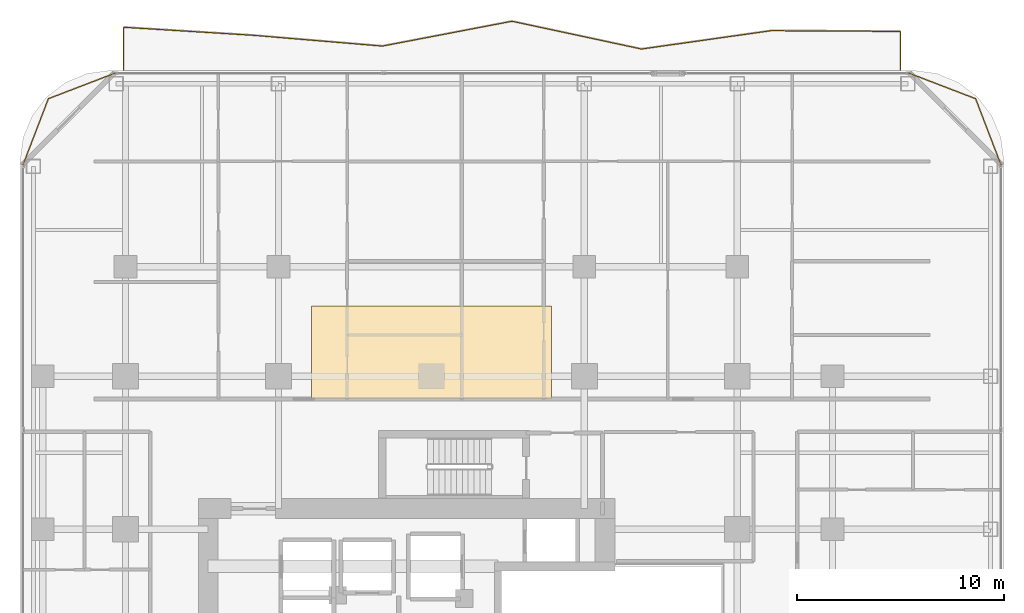
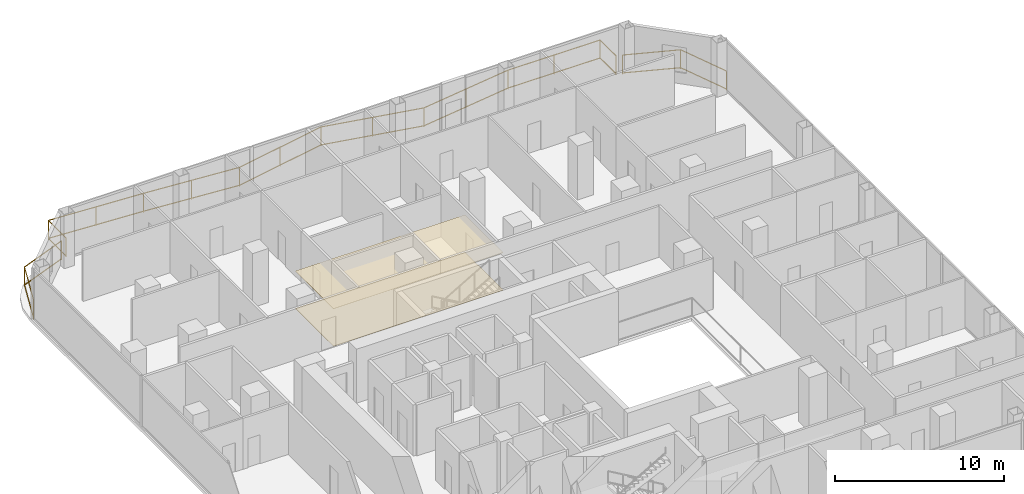
# One storey, part 27 of 27: 3 railings, 2 coverings.
"""IFC4 building model written with IfcOpenShell, lengths in metres."""

from ifc_helpers import new_model, si_unit, direction, frame, origin, origin_2d, place, context, subcontext, project, spatial, polyline, rectangle, outline, extrude, material, layer, layer_set, type_object, element, save


model = new_model("IFC4")

# Units and contexts
model_context = context("Model", 3, precision=1e-05, world=origin(), true_north=direction((0.0, 1.0)))
body_context = subcontext(model_context, "Body", "Model", "MODEL_VIEW")
ifc_project = project(units=[si_unit("LENGTHUNIT", "METRE"), si_unit("AREAUNIT", "SQUARE_METRE"), si_unit("VOLUMEUNIT", "CUBIC_METRE"), si_unit("PLANEANGLEUNIT", "RADIAN"), si_unit("MASSUNIT", "GRAM", prefix="KILO")], contexts=[model_context])

# Site, building, storey
site_placement = place(None, origin())
site = spatial("IfcSite", under=ifc_project, at=site_placement, CompositionType="ELEMENT")
building_placement = place(site_placement, origin())
building = spatial("IfcBuilding", under=site, at=building_placement, Name="Khorvyn Point Tower", CompositionType="ELEMENT")
storey_placement = place(building_placement, frame((0.0, 0.0, 129.0)))
storey = spatial("IfcBuildingStorey", under=building, at=storey_placement, Name="L32", CompositionType="ELEMENT", Elevation=129.0)

# Covering
ifc_material_1 = material(Name="Engineered tropical hardwood flooring", Category="wood")
ifc_layer_1 = layer(ifc_material_1, 0.01611328125)
ifc_layer_set_1 = layer_set([ifc_layer_1], Name="Engineered Teak Apartment Floor Finish 16")
covering_type_1 = type_object("IfcCoveringType", Name="Engineered Teak Apartment Floor Finish 16", PredefinedType="FLOORING", material=ifc_layer_set_1)
covering_1_placement = place(storey_placement, origin())
element("IfcCovering", 1, at=covering_1_placement, inside=storey, type_object=covering_type_1, Name="L32 North Apartment Teak Flooring", PredefinedType="FLOORING", context=body_context, shape_type="SweptSolid", body=[
    extrude(outline(polyline([(-5.800048828125, 13.68994140625), (5.800048828125, 13.68994140625), (5.800048828125, 18.199951171875), (-5.800048828125, 18.199951171875), (-5.800048828125, 13.68994140625)])), origin(), (0.0, 0.0, 1.0), 0.01611328125),
])

# Railings
ifc_material_2 = material(Name="Anodised aluminium 6063-T6 and laminated safety glass", Category="aluminium")
railing_type = type_object("IfcRailingType", Name="Laminated Glass and Aluminium Balcony Guardrail 1400", PredefinedType="BALUSTRADE", material=ifc_material_2)
railing_1_placement = place(storey_placement, frame((-15.27587890625, 29.47412109375, 0.0)))
element("IfcRailing", 2, at=railing_1_placement, inside=storey, type_object=railing_type, Name="L32 Rounded Corner Edge Guardrail NW", PredefinedType="BALUSTRADE", context=body_context, shape_type="SweptSolid", body=[
    extrude(rectangle(XDim=0.048095703125, YDim=0.048095703125, at=origin_2d()), frame((0.0, 0.0, 1.3759765625), z_axis=(-0.933574931257, -0.358382264808, 0.0), x_axis=(0.358382264808, -0.933574931257, 0.0)), (0.0, 0.0, 1.0), 3.481689453125),
    extrude(rectangle(XDim=0.048095703125, YDim=0.048095703125, at=origin_2d()), frame((0.0, 0.0, 0.080078125), z_axis=(-0.933574931257, -0.358382264808, 0.0), x_axis=(0.358382264808, -0.933574931257, 0.0)), (0.0, 0.0, 1.0), 3.481689453125),
    extrude(rectangle(XDim=0.048095703125, YDim=0.048095703125, at=origin_2d()), frame((-3.25048828125, -1.247802734375, 1.3759765625), z_axis=(-0.35840572668, -0.933565924337, 0.0), x_axis=(0.933565924337, -0.35840572668, 0.0)), (0.0, 0.0, 1.0), 3.4814453125),
    extrude(rectangle(XDim=0.048095703125, YDim=0.048095703125, at=origin_2d()), frame((-3.25048828125, -1.247802734375, 0.080078125), z_axis=(-0.35840572668, -0.933565924337, 0.0), x_axis=(0.933565924337, -0.35840572668, 0.0)), (0.0, 0.0, 1.0), 3.4814453125),
    extrude(rectangle(XDim=0.0419921875, YDim=0.0419921875, at=origin_2d()), origin(), (0.0, 0.0, 1.0), 1.351806640625),
    extrude(rectangle(XDim=0.0419921875, YDim=0.0419921875, at=origin_2d()), frame((-3.25048828125, -1.247802734375, 0.0)), (0.0, 0.0, 1.0), 1.351806640625),
    extrude(rectangle(XDim=0.0419921875, YDim=0.0419921875, at=origin_2d()), frame((-4.498291015625, -4.498046875, 0.0)), (0.0, 0.0, 1.0), 1.351806640625),
])
railing_2_placement = place(storey_placement, frame((27.57421875, 24.97607421875, 0.0)))
element("IfcRailing", 3, at=railing_2_placement, inside=storey, type_object=railing_type, Name="L32 Rounded Corner Edge Guardrail NE", PredefinedType="BALUSTRADE", context=body_context, shape_type="SweptSolid", body=[
    extrude(rectangle(XDim=0.048095703125, YDim=0.048095703125, at=origin_2d()), frame((0.0, 0.0, 1.3759765625), z_axis=(-0.35840572668, 0.933565924337, 0.0), x_axis=(-0.933565924337, -0.35840572668, 0.0)), (0.0, 0.0, 1.0), 3.4814453125),
    extrude(rectangle(XDim=0.048095703125, YDim=0.048095703125, at=origin_2d()), frame((0.0, 0.0, 0.080078125), z_axis=(-0.35840572668, 0.933565924337, 0.0), x_axis=(-0.933565924337, -0.35840572668, 0.0)), (0.0, 0.0, 1.0), 3.4814453125),
    extrude(rectangle(XDim=0.048095703125, YDim=0.048095703125, at=origin_2d()), frame((-1.247802734375, 3.250244140625, 1.3759765625), z_axis=(-0.933574931257, 0.358382264808, 0.0), x_axis=(-0.358382264808, -0.933574931257, 0.0)), (0.0, 0.0, 1.0), 3.481689453125),
    extrude(rectangle(XDim=0.048095703125, YDim=0.048095703125, at=origin_2d()), frame((-1.247802734375, 3.250244140625, 0.080078125), z_axis=(-0.933574931257, 0.358382264808, 0.0), x_axis=(-0.358382264808, -0.933574931257, 0.0)), (0.0, 0.0, 1.0), 3.481689453125),
    extrude(rectangle(XDim=0.0419921875, YDim=0.0419921875, at=origin_2d()), origin(), (0.0, 0.0, 1.0), 1.351806640625),
    extrude(rectangle(XDim=0.0419921875, YDim=0.0419921875, at=origin_2d()), frame((-1.247802734375, 3.250244140625, 0.0)), (0.0, 0.0, 1.0), 1.351806640625),
    extrude(rectangle(XDim=0.0419921875, YDim=0.0419921875, at=origin_2d()), frame((-4.498291015625, 4.498046875, 0.0)), (0.0, 0.0, 1.0), 1.351806640625),
])
railing_3_placement = place(storey_placement, frame((22.699951171875, 29.60009765625, 0.0)))
element("IfcRailing", 4, at=railing_3_placement, inside=storey, type_object=railing_type, Name="L32 North Balcony Guardrail", PredefinedType="BALUSTRADE", context=body_context, shape_type="SweptSolid", body=[
    extrude(rectangle(XDim=0.048095703125, YDim=0.048095703125, at=origin_2d()), frame((0.0, 0.0, 1.3759765625), z_axis=(0.0, 1.0, 0.0), x_axis=(-1.0, 0.0, 0.0)), (0.0, 0.0, 1.0), 1.88134765625),
    extrude(rectangle(XDim=0.048095703125, YDim=0.048095703125, at=origin_2d()), frame((0.0, 0.0, 0.080078125), z_axis=(0.0, 1.0, 0.0), x_axis=(-1.0, 0.0, 0.0)), (0.0, 0.0, 1.0), 1.88134765625),
    extrude(rectangle(XDim=0.048095703125, YDim=0.048095703125, at=origin_2d()), frame((0.0, 1.88134765625, 1.3759765625), z_axis=(-0.999983601281, 0.005726881307, 0.0), x_axis=(-0.005726881307, -0.999983601281, 0.0)), (0.0, 0.0, 1.0), 6.2666015625),
    extrude(rectangle(XDim=0.048095703125, YDim=0.048095703125, at=origin_2d()), frame((0.0, 1.88134765625, 0.080078125), z_axis=(-0.999983601281, 0.005726881307, 0.0), x_axis=(-0.005726881307, -0.999983601281, 0.0)), (0.0, 0.0, 1.0), 6.2666015625),
    extrude(rectangle(XDim=0.048095703125, YDim=0.048095703125, at=origin_2d()), frame((-6.2666015625, 1.917236328125, 1.3759765625), z_axis=(-0.990115445767, -0.14025478264, 0.0), x_axis=(0.14025478264, -0.990115445767, 0.0)), (0.0, 0.0, 1.0), 6.3291015625),
    extrude(rectangle(XDim=0.048095703125, YDim=0.048095703125, at=origin_2d()), frame((-6.2666015625, 1.917236328125, 0.080078125), z_axis=(-0.990115445767, -0.14025478264, 0.0), x_axis=(0.14025478264, -0.990115445767, 0.0)), (0.0, 0.0, 1.0), 6.3291015625),
    extrude(rectangle(XDim=0.048095703125, YDim=0.048095703125, at=origin_2d()), frame((-12.533203125, 1.029541015625, 1.3759765625), z_axis=(-0.977767281962, 0.209692971569, 0.0), x_axis=(-0.209692971569, -0.977767281962, 0.0)), (0.0, 0.0, 1.0), 6.409423828125),
    extrude(rectangle(XDim=0.048095703125, YDim=0.048095703125, at=origin_2d()), frame((-12.533203125, 1.029541015625, 0.080078125), z_axis=(-0.977767281962, 0.209692971569, 0.0), x_axis=(-0.209692971569, -0.977767281962, 0.0)), (0.0, 0.0, 1.0), 6.409423828125),
    extrude(rectangle(XDim=0.048095703125, YDim=0.048095703125, at=origin_2d()), frame((-18.800048828125, 2.37353515625, 1.3759765625), z_axis=(-0.982120889732, -0.188251315937, 0.0), x_axis=(0.188251315937, -0.982120889732, 0.0)), (0.0, 0.0, 1.0), 6.380615234375),
    extrude(rectangle(XDim=0.048095703125, YDim=0.048095703125, at=origin_2d()), frame((-18.800048828125, 2.37353515625, 0.080078125), z_axis=(-0.982120889732, -0.188251315937, 0.0), x_axis=(0.188251315937, -0.982120889732, 0.0)), (0.0, 0.0, 1.0), 6.380615234375),
    extrude(rectangle(XDim=0.048095703125, YDim=0.048095703125, at=origin_2d()), frame((-25.066650390625, 1.17236328125, 1.3759765625), z_axis=(-0.996536112454, 0.083161148234, 0.0), x_axis=(-0.083161148234, -0.996536112454, 0.0)), (0.0, 0.0, 1.0), 6.288330078125),
    extrude(rectangle(XDim=0.048095703125, YDim=0.048095703125, at=origin_2d()), frame((-25.066650390625, 1.17236328125, 0.080078125), z_axis=(-0.996536112454, 0.083161148234, 0.0), x_axis=(-0.083161148234, -0.996536112454, 0.0)), (0.0, 0.0, 1.0), 6.288330078125),
    extrude(rectangle(XDim=0.048095703125, YDim=0.048095703125, at=origin_2d()), frame((-31.333251953125, 1.6953125, 1.3759765625), z_axis=(-0.998086922603, 0.061826328773, 0.0), x_axis=(-0.061826328773, -0.998086922603, 0.0)), (0.0, 0.0, 1.0), 6.278564453125),
    extrude(rectangle(XDim=0.048095703125, YDim=0.048095703125, at=origin_2d()), frame((-31.333251953125, 1.6953125, 0.080078125), z_axis=(-0.998086922603, 0.061826328773, 0.0), x_axis=(-0.061826328773, -0.998086922603, 0.0)), (0.0, 0.0, 1.0), 6.278564453125),
    extrude(rectangle(XDim=0.048095703125, YDim=0.048095703125, at=origin_2d()), frame((-37.599853515625, 2.08349609375, 1.3759765625), z_axis=(0.0, -1.0, 0.0), x_axis=(1.0, 0.0, 0.0)), (0.0, 0.0, 1.0), 2.08349609375),
    extrude(rectangle(XDim=0.048095703125, YDim=0.048095703125, at=origin_2d()), frame((-37.599853515625, 2.08349609375, 0.080078125), z_axis=(0.0, -1.0, 0.0), x_axis=(1.0, 0.0, 0.0)), (0.0, 0.0, 1.0), 2.08349609375),
    extrude(rectangle(XDim=0.0419921875, YDim=0.0419921875, at=origin_2d()), origin(), (0.0, 0.0, 1.0), 1.351806640625),
    extrude(rectangle(XDim=0.0419921875, YDim=0.0419921875, at=origin_2d()), frame((0.0, 1.88134765625, 0.0)), (0.0, 0.0, 1.0), 1.351806640625),
    extrude(rectangle(XDim=0.0419921875, YDim=0.0419921875, at=origin_2d()), frame((-3.13330078125, 1.8994140625, 0.0)), (0.0, 0.0, 1.0), 1.351806640625),
    extrude(rectangle(XDim=0.0419921875, YDim=0.0419921875, at=origin_2d()), frame((-6.2666015625, 1.917236328125, 0.0)), (0.0, 0.0, 1.0), 1.351806640625),
    extrude(rectangle(XDim=0.0419921875, YDim=0.0419921875, at=origin_2d()), frame((-9.39990234375, 1.473388671875, 0.0)), (0.0, 0.0, 1.0), 1.351806640625),
    extrude(rectangle(XDim=0.0419921875, YDim=0.0419921875, at=origin_2d()), frame((-12.533203125, 1.029541015625, 0.0)), (0.0, 0.0, 1.0), 1.351806640625),
    extrude(rectangle(XDim=0.0419921875, YDim=0.0419921875, at=origin_2d()), frame((-15.66650390625, 1.70166015625, 0.0)), (0.0, 0.0, 1.0), 1.351806640625),
    extrude(rectangle(XDim=0.0419921875, YDim=0.0419921875, at=origin_2d()), frame((-18.800048828125, 2.37353515625, 0.0)), (0.0, 0.0, 1.0), 1.351806640625),
    extrude(rectangle(XDim=0.0419921875, YDim=0.0419921875, at=origin_2d()), frame((-21.933349609375, 1.77294921875, 0.0)), (0.0, 0.0, 1.0), 1.351806640625),
    extrude(rectangle(XDim=0.0419921875, YDim=0.0419921875, at=origin_2d()), frame((-25.066650390625, 1.17236328125, 0.0)), (0.0, 0.0, 1.0), 1.351806640625),
    extrude(rectangle(XDim=0.0419921875, YDim=0.0419921875, at=origin_2d()), frame((-28.199951171875, 1.433837890625, 0.0)), (0.0, 0.0, 1.0), 1.351806640625),
    extrude(rectangle(XDim=0.0419921875, YDim=0.0419921875, at=origin_2d()), frame((-31.333251953125, 1.6953125, 0.0)), (0.0, 0.0, 1.0), 1.351806640625),
    extrude(rectangle(XDim=0.0419921875, YDim=0.0419921875, at=origin_2d()), frame((-34.466552734375, 1.889404296875, 0.0)), (0.0, 0.0, 1.0), 1.351806640625),
    extrude(rectangle(XDim=0.0419921875, YDim=0.0419921875, at=origin_2d()), frame((-37.599853515625, 2.08349609375, 0.0)), (0.0, 0.0, 1.0), 1.351806640625),
    extrude(rectangle(XDim=0.0419921875, YDim=0.0419921875, at=origin_2d()), frame((-37.599853515625, 0.0, 0.0)), (0.0, 0.0, 1.0), 1.351806640625),
])

# Covering
ifc_material_3 = material(Name="Mineral-fibre acoustic ceiling board", Category="gypsum")
ifc_layer_2 = layer(ifc_material_3, 0.02001953125)
ifc_layer_set_2 = layer_set([ifc_layer_2], Name="Perforated Mineral-Fibre Acoustic Suspended Ceiling 20")
covering_type_2 = type_object("IfcCoveringType", Name="Perforated Mineral-Fibre Acoustic Suspended Ceiling 20", PredefinedType="CEILING", material=ifc_layer_set_2)
covering_2_placement = place(storey_placement, frame((0.0, 0.0, 2.699951171875)))
element("IfcCovering", 5, at=covering_2_placement, inside=storey, type_object=covering_type_2, Name="L32 North Apartment Acoustic Ceiling", PredefinedType="CEILING", context=body_context, shape_type="SweptSolid", body=[
    extrude(outline(polyline([(-5.800048828125, 13.68994140625), (5.800048828125, 13.68994140625), (5.800048828125, 18.199951171875), (-5.800048828125, 18.199951171875), (-5.800048828125, 13.68994140625)])), origin(), (0.0, 0.0, 1.0), 0.02001953125),
])

save(model, "model.ifc")
